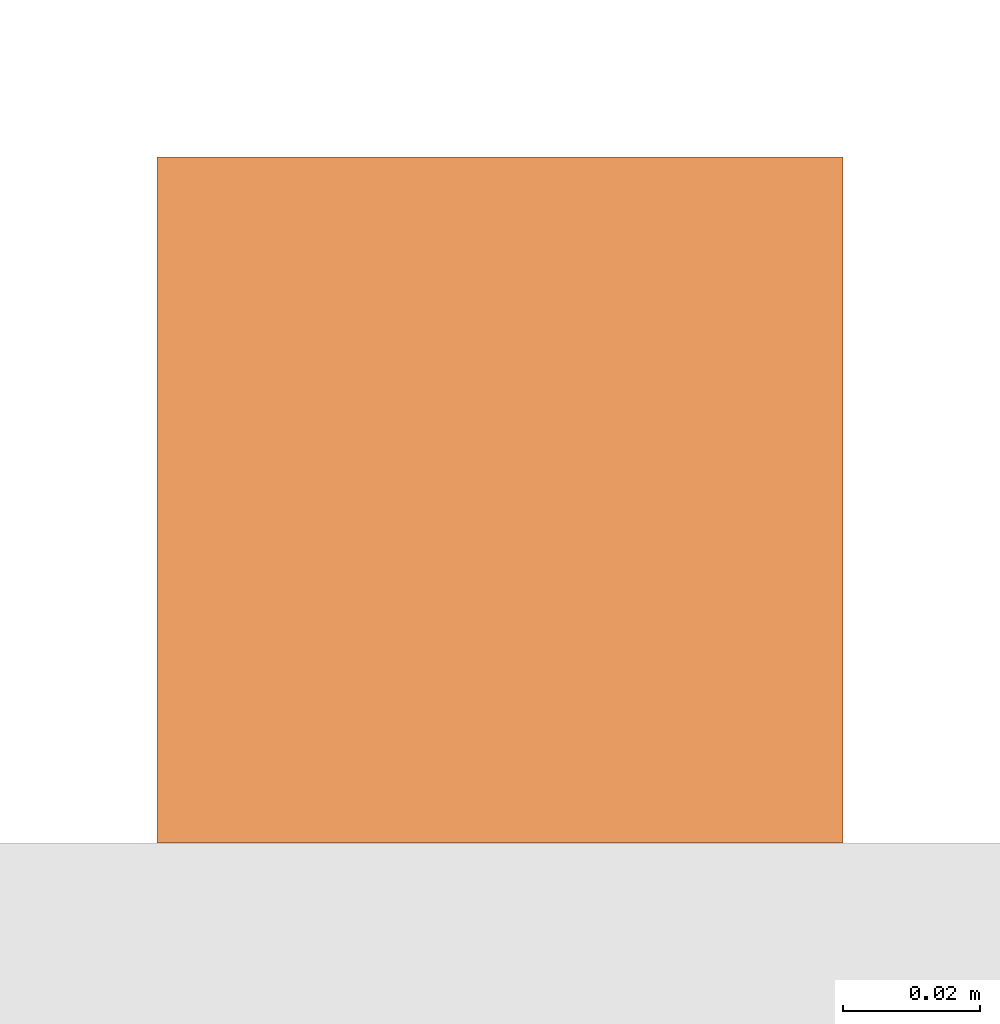
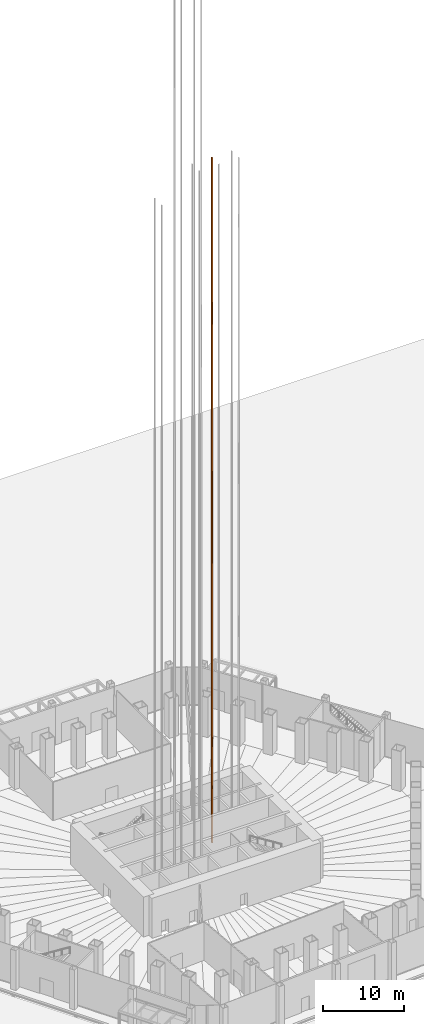
# One storey, part 44 of 45: 1 proxy.
"""IFC4 building model written with IfcOpenShell, lengths in metres."""

from ifc_helpers import new_model, si_unit, direction, frame, origin, origin_2d, place, context, subcontext, project, spatial, rectangle, extrude, material, type_object, element, save


model = new_model("IFC4")

# Units and contexts
model_context = context("Model", 3, precision=1e-05, world=origin(), true_north=direction((0.0, 1.0)))
body_context = subcontext(model_context, "Body", "Model", "MODEL_VIEW")
ifc_project = project(units=[si_unit("LENGTHUNIT", "METRE"), si_unit("AREAUNIT", "SQUARE_METRE"), si_unit("VOLUMEUNIT", "CUBIC_METRE"), si_unit("PLANEANGLEUNIT", "RADIAN"), si_unit("MASSUNIT", "GRAM", prefix="KILO")], contexts=[model_context])

# Site, building, storey
site_placement = place(None, origin())
site = spatial("IfcSite", under=ifc_project, at=site_placement, CompositionType="ELEMENT")
building_placement = place(site_placement, origin())
building = spatial("IfcBuilding", under=site, at=building_placement, Name="Qingtian Harvest Tower", CompositionType="ELEMENT")
storey_placement = place(building_placement, origin())
storey = spatial("IfcBuildingStorey", under=building, at=storey_placement, Name="L00", CompositionType="ELEMENT", Elevation=0.0)

# Proxy
ifc_material = material(Name="Steel SN490B", Category="steel")
building_element_proxy_type = type_object("IfcBuildingElementProxyType", Name="Lift guide rail LR1", PredefinedType="NOTDEFINED", material=ifc_material)
proxy_placement = place(storey_placement, frame((4.699951171875, 4.375, 0.0), z_axis=(0.0, 0.0, 1.0), x_axis=(1.0, 0.0, 0.0)))
element("IfcBuildingElementProxy", 1, at=proxy_placement, inside=storey, type_object=building_element_proxy_type, Name="Lift PLA2 guide rail 2", PredefinedType="NOTDEFINED", context=body_context, shape_type="SweptSolid", body=[
    extrude(rectangle(XDim=0.10009765625, YDim=0.10009765625, at=origin_2d()), origin(), (0.0, 0.0, 1.0), 103.0),
])

save(model, "model.ifc")
